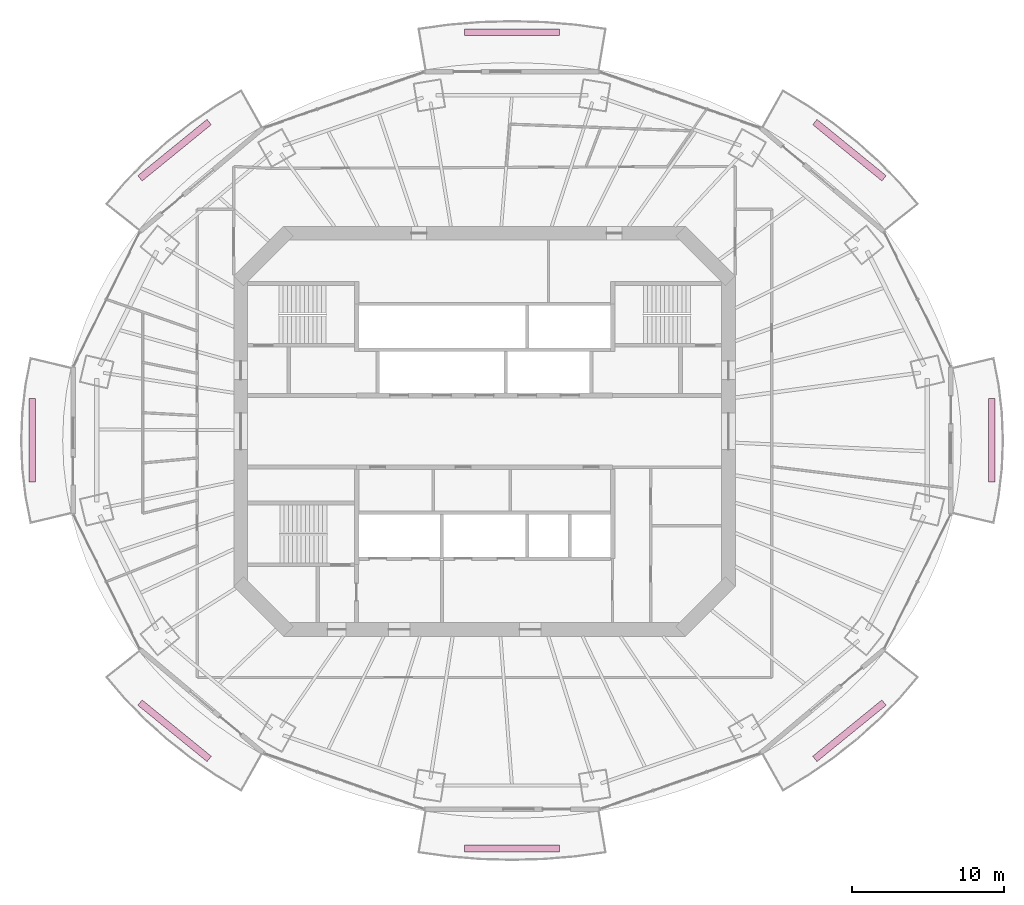
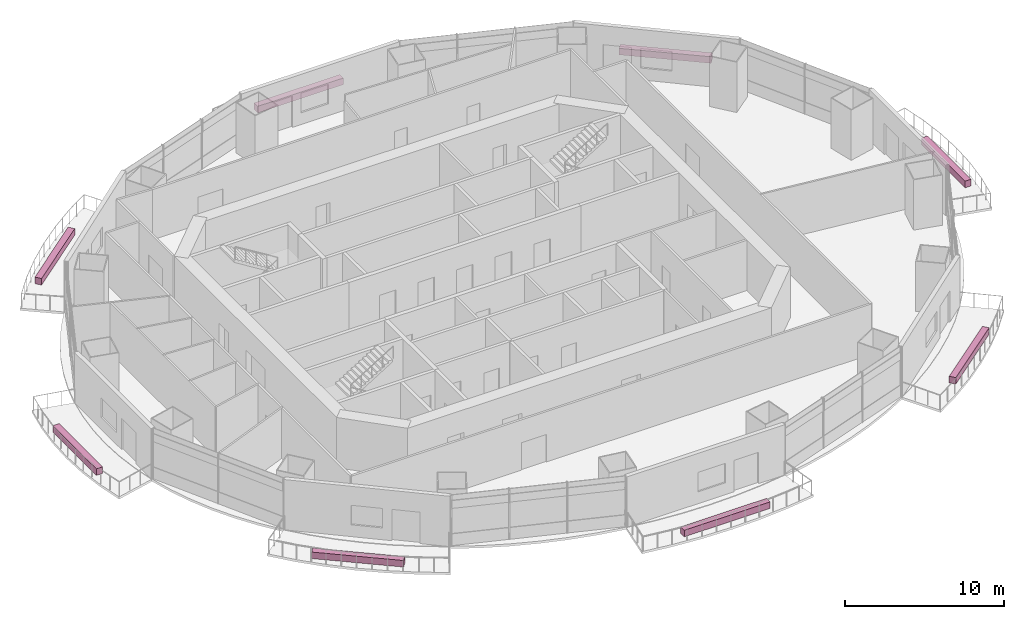
# One storey, part 16 of 16: 8 furnishings.
"""IFC4 building model written with IfcOpenShell, lengths in metres."""

import ifcopenshell
import ifcopenshell.guid

model = None  # the IFC model being written
_history = None  # IfcOwnerHistory: only IFC2X3 demands one
_inside = {}  # id of a spatial element -> (the spatial element, [elements in it])
_under = {}  # id of a project, library or spatial element -> (it, [spatial elements below it])
_declared = {}  # id of a project -> (the project, [libraries it declares])
_typed = {}  # id of a type object -> (the type object, [elements of that type])
_made_of = {}  # id of a material, layer set ... -> (it, [elements and type objects made of it])


def new_model(schema):
    """Start an empty IFC model of exactly this schema.

    Asked for "IFC4X3", IfcOpenShell would pick the latest addendum, in which some entities
    have other attributes; the version numbers below select the first issue.
    IFC2X3 requires an IfcOwnerHistory on every rooted entity: one is made here for all.
    """
    global model, _history
    if schema == "IFC4X3":
        model = ifcopenshell.file(schema_version=(4, 3, 0, 0))
    else:
        model = ifcopenshell.file(schema=schema)
    _inside.clear()
    _under.clear()
    _declared.clear()
    _typed.clear()
    _made_of.clear()
    _history = None
    if model.schema == "IFC2X3":
        org = make("IfcOrganization", Name="unknown")
        user = make(
            "IfcPersonAndOrganization",
            ThePerson=make("IfcPerson", FamilyName="unknown"),
            TheOrganization=org,
        )
        app = make(
            "IfcApplication",
            ApplicationDeveloper=org,
            Version="unknown",
            ApplicationFullName="unknown",
            ApplicationIdentifier="unknown",
        )
        _history = make(
            "IfcOwnerHistory",
            OwningUser=user,
            OwningApplication=app,
            ChangeAction="ADDED",
            CreationDate=0,
        )
    return model


def make(cls, **values):
    """One entity of the class cls with the attributes given. An attribute that is None is left unset."""
    return model.create_entity(
        cls, **{name: value for name, value in values.items() if value is not None}
    )


def rooted(cls, **values):
    """An entity with a GlobalId (a new one), such as an element, a storey or a relation."""
    return make(cls, GlobalId=ifcopenshell.guid.new(), OwnerHistory=_history, **values)


def si_unit(unit_type, name, prefix=None):
    """IfcSIUnit, for example si_unit("LENGTHUNIT", "METRE", prefix="MILLI")."""
    return make("IfcSIUnit", UnitType=unit_type, Prefix=prefix, Name=name)


def assignment(units):
    """IfcUnitAssignment: the units of a project."""
    return None if units is None else make("IfcUnitAssignment", Units=units)


def point(xyz):
    """IfcCartesianPoint."""
    return None if xyz is None else make("IfcCartesianPoint", Coordinates=xyz)


def direction(xyz):
    """IfcDirection."""
    return None if xyz is None else make("IfcDirection", DirectionRatios=xyz)


def frame(location, z_axis=None, x_axis=None):
    """IfcAxis2Placement3D, a coordinate frame: its origin and axes. An axis left out is left unset."""
    return make(
        "IfcAxis2Placement3D",
        Location=point(location),
        Axis=direction(z_axis),
        RefDirection=direction(x_axis),
    )


def frame_2d(location, x_axis=None):
    """IfcAxis2Placement2D, a coordinate frame in the plane: its origin and x axis."""
    return make(
        "IfcAxis2Placement2D", Location=point(location), RefDirection=direction(x_axis)
    )


def origin():
    """The frame at (0, 0, 0) with its axes left unset."""
    return frame((0.0, 0.0, 0.0))


def origin_2d():
    """The frame at (0, 0) in the plane with its x axis left unset."""
    return frame_2d((0.0, 0.0))


def place(relative_to, where):
    """IfcLocalPlacement: puts the frame where relative to a parent placement (None: the world)."""
    return make(
        "IfcLocalPlacement", PlacementRelTo=relative_to, RelativePlacement=where
    )


def context(
    kind, dimensions, precision=None, world=None, true_north=None, identifier=None
):
    """IfcGeometricRepresentationContext, for example the 3D "Model" context."""
    return make(
        "IfcGeometricRepresentationContext",
        ContextIdentifier=identifier,
        ContextType=kind,
        CoordinateSpaceDimension=dimensions,
        Precision=precision,
        WorldCoordinateSystem=world,
        TrueNorth=true_north,
    )


def subcontext(parent, identifier, kind, view, scale=None):
    """IfcGeometricRepresentationSubContext, for example "Body" below "Model"."""
    return make(
        "IfcGeometricRepresentationSubContext",
        ContextIdentifier=identifier,
        ContextType=kind,
        ParentContext=parent,
        TargetScale=scale,
        TargetView=view,
    )


def project(units=None, contexts=None):
    """IfcProject with its units and contexts."""
    return rooted(
        "IfcProject",
        Name="project",
        RepresentationContexts=contexts,
        UnitsInContext=assignment(units),
    )


def spatial(cls, under=None, at=None, **own):
    """A site, building, storey or space (cls), placed at a placement, below another one or the project."""
    s = rooted(cls, ObjectPlacement=at, **own)
    if under is not None:
        _under.setdefault(under.id(), (under, []))[1].append(s)
    return s


def profile(cls, at=None, kind="AREA", **sizes):
    """A parametric profile (cls). Its sizes go by their IFC names, for example OverallWidth=200.0."""
    return make(cls, ProfileType=kind, Position=at, **sizes)


def rectangle(**sizes):
    """IfcRectangleProfileDef."""
    return profile("IfcRectangleProfileDef", **sizes)


def extrude(swept, where, along, depth):
    """IfcExtrudedAreaSolid: the profile swept, set in the frame where, extruded along a direction by depth."""
    return make(
        "IfcExtrudedAreaSolid",
        SweptArea=swept,
        Position=where,
        ExtrudedDirection=direction(along),
        Depth=depth,
    )


def shape(context_of_items, identifier, shape_type, items):
    """IfcShapeRepresentation: the items that make up one representation, for example the "Body"."""
    return make(
        "IfcShapeRepresentation",
        ContextOfItems=context_of_items,
        RepresentationIdentifier=identifier,
        RepresentationType=shape_type,
        Items=items,
    )


def material(Name=None, Category=None):
    """IfcMaterial."""
    return make("IfcMaterial", Name=Name, Category=Category)


def made_of(thing, what):
    """Note that an element or type object is made of a material, layer set ...; save() writes the relation."""
    if what is not None:
        _made_of.setdefault(what.id(), (what, []))[1].append(thing)
    return thing


def type_object(cls, material=None, **own):
    """A type object (cls), such as IfcWallType, which elements share."""
    return made_of(rooted(cls, **own), material)


def element(
    cls,
    number,
    at=None,
    inside=None,
    cuts=None,
    type_object=None,
    material=None,
    context=None,
    identifier="Body",
    shape_type=None,
    held_by="IfcProductDefinitionShape",
    body=None,
    shapes=None,
    **own,
):
    """One element of the class cls, such as IfcWall. Its Tag is "e" and its number.

    at: its placement. inside: the storey or other place that contains it. cuts: it is an
    opening in that element (IfcRelVoidsElement). A single representation is given by context,
    identifier, shape_type and body (its items); several are given by shapes. held_by: the class
    of the entity that holds the representations. save() writes the other relations.
    """
    e = rooted(cls, Tag="e%d" % number, ObjectPlacement=at, **own)
    if body is not None:
        shapes = [shape(context, identifier, shape_type, body)]
    if shapes is not None:
        e.Representation = make(held_by, Representations=shapes)
    if inside is not None:
        _inside.setdefault(inside.id(), (inside, []))[1].append(e)
    if cuts is not None:
        rooted(
            "IfcRelVoidsElement", RelatingBuildingElement=cuts, RelatedOpeningElement=e
        )
    if type_object is not None:
        _typed.setdefault(type_object.id(), (type_object, []))[1].append(e)
    return made_of(e, material)


def aggregate(whole, parts):
    """IfcRelAggregates: a whole, such as a stair, and the parts it consists of."""
    return rooted("IfcRelAggregates", RelatingObject=whole, RelatedObjects=parts)


def save(model, path):
    """Write the relations noted so far, then the file.

    IfcRelAggregates (storeys below a building ...), IfcRelContainedInSpatialStructure (elements
    in a storey), IfcRelDefinesByType, IfcRelAssociatesMaterial and IfcRelDeclares: one each for
    every whole, place, type object, material and project.
    """
    for whole, parts in _under.values():
        aggregate(whole, parts)
    for where, things in _inside.values():
        rooted(
            "IfcRelContainedInSpatialStructure",
            RelatedElements=things,
            RelatingStructure=where,
        )
    for kind, things in _typed.values():
        rooted("IfcRelDefinesByType", RelatedObjects=things, RelatingType=kind)
    for what, things in _made_of.values():
        rooted("IfcRelAssociatesMaterial", RelatedObjects=things, RelatingMaterial=what)
    for by, libraries in _declared.values():
        rooted("IfcRelDeclares", RelatingContext=by, RelatedDefinitions=libraries)
    model.write(path)


model = new_model("IFC4")

# Units and contexts
model_context = context("Model", 3, precision=1e-05, world=origin(), true_north=direction((0.0, 1.0)))
body_context = subcontext(model_context, "Body", "Model", "MODEL_VIEW")
ifc_project = project(units=[si_unit("LENGTHUNIT", "METRE"), si_unit("AREAUNIT", "SQUARE_METRE"), si_unit("VOLUMEUNIT", "CUBIC_METRE"), si_unit("PLANEANGLEUNIT", "RADIAN"), si_unit("MASSUNIT", "GRAM", prefix="KILO")], contexts=[model_context])

# Site, building, storey
site_placement = place(None, origin())
site = spatial("IfcSite", under=ifc_project, at=site_placement, CompositionType="ELEMENT")
building_placement = place(site_placement, origin())
building = spatial("IfcBuilding", under=site, at=building_placement, Name="Marenthal Gate Tower", CompositionType="ELEMENT")
storey_placement = place(building_placement, frame((0.0, 0.0, 268.949951171875)))
storey = spatial("IfcBuildingStorey", under=building, at=storey_placement, Name="L60", CompositionType="ELEMENT", Elevation=268.949951171875)

# Furnishings
ifc_material = material(Name="Planting soil and foliage", Category="planting")
furnishing_element_type = type_object("IfcFurnishingElementType", Name="Balcony PLANTER trough", material=ifc_material)
furnishing_1_placement = place(storey_placement, frame((23.93994140625, 18.446533203125, -0.0400390625), z_axis=(0.0, 0.0, 1.0), x_axis=(-0.775556894314, 0.631277675577, 0.0)))
element("IfcFurnishingElement", 1, at=furnishing_1_placement, inside=storey, type_object=furnishing_element_type, Name="Balcony PLANTER L60 bay 2", ObjectType="PLANTER", context=body_context, shape_type="SweptSolid", body=[
    extrude(rectangle(XDim=5.8525390625, YDim=0.449951171875, at=origin_2d()), origin(), (0.0, 0.0, 1.0), 0.5),
])
furnishing_2_placement = place(storey_placement, frame((1.800048828125, 26.18310546875, -0.0400390625), z_axis=(0.0, 0.0, 1.0), x_axis=(-1.0, 0.0, 0.0)))
element("IfcFurnishingElement", 2, at=furnishing_2_placement, inside=storey, type_object=furnishing_element_type, Name="Balcony PLANTER L60 bay 4", ObjectType="PLANTER", context=body_context, shape_type="SweptSolid", body=[
    extrude(rectangle(XDim=6.21337890625, YDim=0.449951171875, at=origin_2d()), origin(), (0.0, 0.0, 1.0), 0.5),
])
furnishing_3_placement = place(storey_placement, frame((-20.340087890625, 18.446533203125, -0.0400390625), z_axis=(0.0, 0.0, 1.0), x_axis=(-0.775556894314, -0.631277675577, 0.0)))
element("IfcFurnishingElement", 3, at=furnishing_3_placement, inside=storey, type_object=furnishing_element_type, Name="Balcony PLANTER L60 bay 6", ObjectType="PLANTER", context=body_context, shape_type="SweptSolid", body=[
    extrude(rectangle(XDim=5.8525390625, YDim=0.449951171875, at=origin_2d()), origin(), (0.0, 0.0, 1.0), 0.5),
])
furnishing_4_placement = place(storey_placement, frame((-29.676025390625, -0.60009765625, -0.0400390625), z_axis=(0.0, 0.0, 1.0), x_axis=(0.0, -1.0, 0.0)))
element("IfcFurnishingElement", 4, at=furnishing_4_placement, inside=storey, type_object=furnishing_element_type, Name="Balcony PLANTER L60 bay 8", ObjectType="PLANTER", context=body_context, shape_type="SweptSolid", body=[
    extrude(rectangle(XDim=5.48046875, YDim=0.449951171875, at=origin_2d()), origin(), (0.0, 0.0, 1.0), 0.5),
])
furnishing_5_placement = place(storey_placement, frame((-20.340087890625, -19.646484375, -0.0400390625), z_axis=(0.0, 0.0, 1.0), x_axis=(0.775556894314, -0.631277675577, 0.0)))
element("IfcFurnishingElement", 5, at=furnishing_5_placement, inside=storey, type_object=furnishing_element_type, Name="Balcony PLANTER L60 bay 10", ObjectType="PLANTER", context=body_context, shape_type="SweptSolid", body=[
    extrude(rectangle(XDim=5.8525390625, YDim=0.449951171875, at=origin_2d()), origin(), (0.0, 0.0, 1.0), 0.5),
])
furnishing_6_placement = place(storey_placement, frame((1.800048828125, -27.383056640625, -0.0400390625), z_axis=(0.0, 0.0, 1.0), x_axis=(1.0, 0.0, 0.0)))
element("IfcFurnishingElement", 6, at=furnishing_6_placement, inside=storey, type_object=furnishing_element_type, Name="Balcony PLANTER L60 bay 12", ObjectType="PLANTER", context=body_context, shape_type="SweptSolid", body=[
    extrude(rectangle(XDim=6.21337890625, YDim=0.449951171875, at=origin_2d()), origin(), (0.0, 0.0, 1.0), 0.5),
])
furnishing_7_placement = place(storey_placement, frame((23.93994140625, -19.646484375, -0.0400390625), z_axis=(0.0, 0.0, 1.0), x_axis=(0.775556894314, 0.631277675577, 0.0)))
element("IfcFurnishingElement", 7, at=furnishing_7_placement, inside=storey, type_object=furnishing_element_type, Name="Balcony PLANTER L60 bay 14", ObjectType="PLANTER", context=body_context, shape_type="SweptSolid", body=[
    extrude(rectangle(XDim=5.8525390625, YDim=0.449951171875, at=origin_2d()), origin(), (0.0, 0.0, 1.0), 0.5),
])
furnishing_8_placement = place(storey_placement, frame((33.27587890625, -0.60009765625, -0.0400390625), z_axis=(0.0, 0.0, 1.0), x_axis=(0.0, 1.0, 0.0)))
element("IfcFurnishingElement", 8, at=furnishing_8_placement, inside=storey, type_object=furnishing_element_type, Name="Balcony PLANTER L60 bay 16", ObjectType="PLANTER", context=body_context, shape_type="SweptSolid", body=[
    extrude(rectangle(XDim=5.48046875, YDim=0.449951171875, at=origin_2d()), origin(), (0.0, 0.0, 1.0), 0.5),
])

save(model, "model.ifc")
